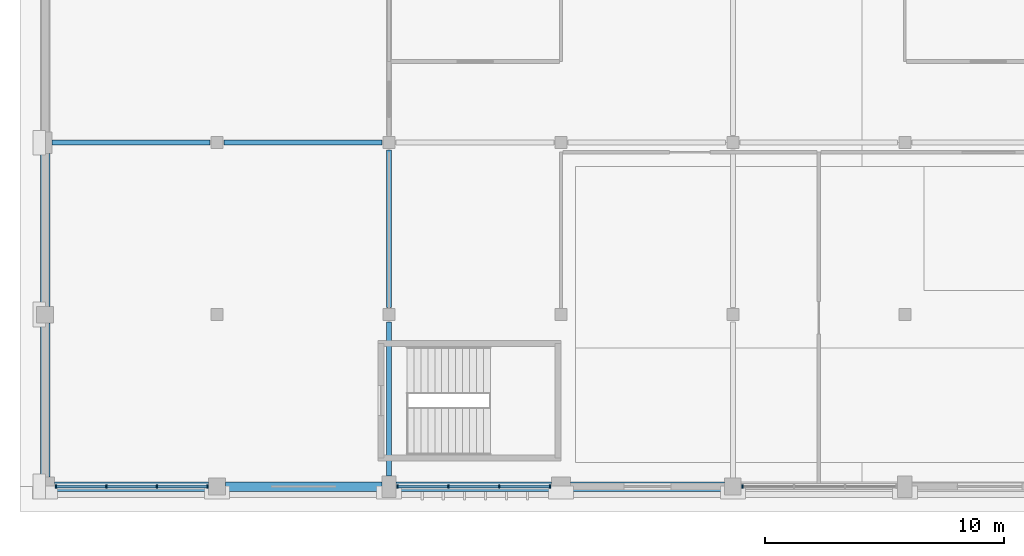
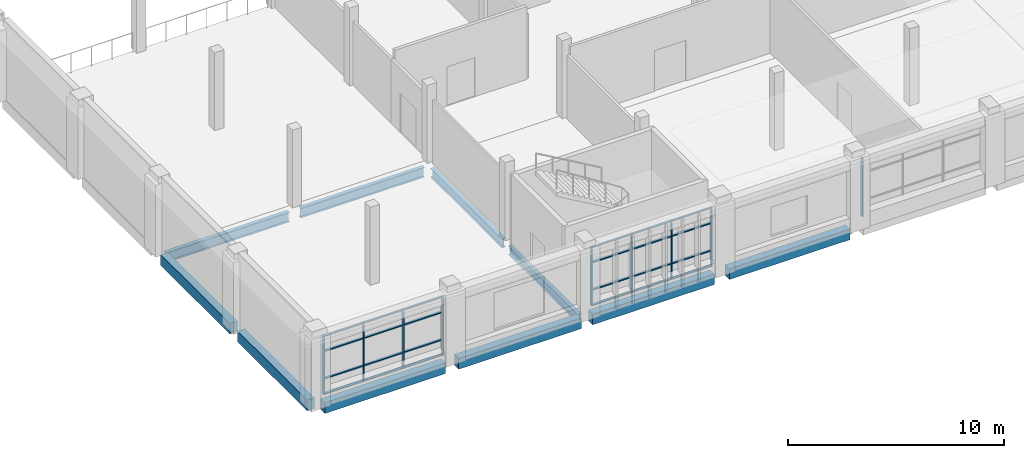
# One storey, part 8 of 71: 33 members, 10 beams, 3 elements without a shape of their own.
"""IFC4 building model written with IfcOpenShell, lengths in metres."""

from ifc_helpers import new_model, si_unit, direction, frame, origin, origin_2d, place, context, subcontext, project, spatial, rectangle, i_section, extrude, material, material_profile, profile_set, type_object, element, aggregate, save


model = new_model("IFC4")

# Units and contexts
model_context = context("Model", 3, precision=1e-05, world=origin(), true_north=direction((0.0, 1.0)))
body_context = subcontext(model_context, "Body", "Model", "MODEL_VIEW")
ifc_project = project(units=[si_unit("LENGTHUNIT", "METRE"), si_unit("AREAUNIT", "SQUARE_METRE"), si_unit("VOLUMEUNIT", "CUBIC_METRE"), si_unit("PLANEANGLEUNIT", "RADIAN"), si_unit("MASSUNIT", "GRAM", prefix="KILO")], contexts=[model_context])

# Site, building, storey
site_placement = place(None, origin())
site = spatial("IfcSite", under=ifc_project, at=site_placement, CompositionType="ELEMENT")
building_placement = place(site_placement, origin())
building = spatial("IfcBuilding", under=site, at=building_placement, Name="Sardonyx Promenade Sports Hall", CompositionType="ELEMENT")
storey_placement = place(building_placement, frame((0.0, 0.0, 16.0)))
storey = spatial("IfcBuildingStorey", under=building, at=storey_placement, Name="L03", CompositionType="ELEMENT", Elevation=16.0)

# Beams
ifc_material_1 = material(Name="Steel S355JR", Category="steel")
ifc_material_profile_1 = material_profile(ifc_material_1, i_section(OverallWidth=0.199951171875, OverallDepth=0.5, WebThickness=0.01025390625, FlangeThickness=0.01611328125, at=origin_2d()))
ifc_profile_set_1 = profile_set([ifc_material_profile_1], Name="Steel S355JR")
beam_type_1 = type_object("IfcBeamType", Name="Bm_Primary_IPE500", PredefinedType="BEAM", material=ifc_profile_set_1)
beam_1_placement = place(storey_placement, frame((14.39990234375, 0.449951171875, -0.5400390625), z_axis=(0.0, 1.0, 0.0), x_axis=(-1.0, 0.0, 0.0)))
element("IfcBeam", 1, at=beam_1_placement, inside=storey, type_object=beam_type_1, Name="Beam SB06 L03 #812", PredefinedType="BEAM", context=body_context, shape_type="SweptSolid", body=[
    extrude(i_section(OverallWidth=0.199951171875, OverallDepth=0.5, WebThickness=0.01025390625, FlangeThickness=0.01611328125, at=origin_2d()), origin(), (0.0, 0.0, 1.0), 6.449951171875),
])
beam_2_placement = place(storey_placement, frame((14.39990234375, 7.5, -0.5400390625), z_axis=(0.0, 1.0, 0.0), x_axis=(-1.0, 0.0, 0.0)))
element("IfcBeam", 2, at=beam_2_placement, inside=storey, type_object=beam_type_1, Name="Beam SB06 L03 #813", PredefinedType="BEAM", context=body_context, shape_type="SweptSolid", body=[
    extrude(i_section(OverallWidth=0.199951171875, OverallDepth=0.5, WebThickness=0.01025390625, FlangeThickness=0.01611328125, at=origin_2d()), origin(), (0.0, 0.0, 1.0), 6.60009765625),
])
ifc_material_2 = material(Name="Steel S355JR", Category="steel")
ifc_material_profile_2 = material_profile(ifc_material_2, i_section(OverallWidth=0.2099609375, OverallDepth=0.550048828125, WebThickness=0.010986328125, FlangeThickness=0.01708984375, at=origin_2d()))
ifc_profile_set_2 = profile_set([ifc_material_profile_2], Name="Steel S355JR")
beam_type_2 = type_object("IfcBeamType", Name="Bm_Primary_IPE550", PredefinedType="BEAM", material=ifc_profile_set_2)
beam_3_placement = place(storey_placement, frame((0.300048828125, 14.39990234375, -0.56494140625), z_axis=(1.0, 0.0, 0.0), x_axis=(0.0, 1.0, 0.0)))
element("IfcBeam", 3, at=beam_3_placement, inside=storey, type_object=beam_type_2, Name="Beam SB03 L03 #729", PredefinedType="BEAM", context=body_context, shape_type="SweptSolid", body=[
    extrude(i_section(OverallWidth=0.2099609375, OverallDepth=0.550048828125, WebThickness=0.010986328125, FlangeThickness=0.01708984375, at=origin_2d()), origin(), (0.0, 0.0, 1.0), 6.599853515625),
])
beam_4_placement = place(storey_placement, frame((7.5, 14.39990234375, -0.56494140625), z_axis=(1.0, 0.0, 0.0), x_axis=(0.0, 1.0, 0.0)))
element("IfcBeam", 4, at=beam_4_placement, inside=storey, type_object=beam_type_2, Name="Beam SB03 L03 #730", PredefinedType="BEAM", context=body_context, shape_type="SweptSolid", body=[
    extrude(i_section(OverallWidth=0.2099609375, OverallDepth=0.550048828125, WebThickness=0.010986328125, FlangeThickness=0.01708984375, at=origin_2d()), origin(), (0.0, 0.0, 1.0), 6.60009765625),
])
ifc_material_3 = material(Name="Concrete C40/50", Category="concrete")
ifc_material_profile_3 = material_profile(ifc_material_3, rectangle(XDim=0.39990234375, YDim=0.60009765625, at=origin_2d()))
ifc_profile_set_3 = profile_set([ifc_material_profile_3], Name="Concrete C40/50")
beam_type_3 = type_object("IfcBeamType", Name="Bm_Spandrel_RC600", PredefinedType="SPANDREL", material=ifc_profile_set_3)
beam_5_placement = place(storey_placement, frame((0.39990234375, 0.0, -0.300048828125), z_axis=(1.0, 0.0, 0.0), x_axis=(0.0, 1.0, 0.0)))
element("IfcBeam", 5, at=beam_5_placement, inside=storey, type_object=beam_type_3, Name="Beam SPB1 L03 #706", PredefinedType="SPANDREL", context=body_context, shape_type="SweptSolid", body=[
    extrude(rectangle(XDim=0.39990234375, YDim=0.60009765625, at=origin_2d()), origin(), (0.0, 0.0, 1.0), 6.4501953125),
])
beam_6_placement = place(storey_placement, frame((7.550048828125, 0.0, -0.300048828125), z_axis=(1.0, 0.0, 0.0), x_axis=(0.0, 1.0, 0.0)))
element("IfcBeam", 6, at=beam_6_placement, inside=storey, type_object=beam_type_3, Name="Beam SPB1 L03 #707", PredefinedType="SPANDREL", context=body_context, shape_type="SweptSolid", body=[
    extrude(rectangle(XDim=0.39990234375, YDim=0.60009765625, at=origin_2d()), origin(), (0.0, 0.0, 1.0), 6.550048828125),
])
beam_7_placement = place(storey_placement, frame((14.699951171875, 0.0, -0.300048828125), z_axis=(1.0, 0.0, 0.0), x_axis=(0.0, 1.0, 0.0)))
element("IfcBeam", 7, at=beam_7_placement, inside=storey, type_object=beam_type_3, Name="Beam SPB1 L03 #708", PredefinedType="SPANDREL", context=body_context, shape_type="SweptSolid", body=[
    extrude(rectangle(XDim=0.39990234375, YDim=0.60009765625, at=origin_2d()), origin(), (0.0, 0.0, 1.0), 6.5),
])
beam_8_placement = place(storey_placement, frame((22.0, 0.0, -0.300048828125), z_axis=(1.0, 0.0, 0.0), x_axis=(0.0, 1.0, 0.0)))
element("IfcBeam", 8, at=beam_8_placement, inside=storey, type_object=beam_type_3, Name="Beam SPB1 L03 #709", PredefinedType="SPANDREL", context=body_context, shape_type="SweptSolid", body=[
    extrude(rectangle(XDim=0.39990234375, YDim=0.60009765625, at=origin_2d()), origin(), (0.0, 0.0, 1.0), 6.449951171875),
])
beam_9_placement = place(storey_placement, frame((0.0, 0.39990234375, -0.300048828125), z_axis=(0.0, 1.0, 0.0), x_axis=(-1.0, 0.0, 0.0)))
element("IfcBeam", 9, at=beam_9_placement, inside=storey, type_object=beam_type_3, Name="Beam SPB1 L03 #808", PredefinedType="SPANDREL", context=body_context, shape_type="SweptSolid", body=[
    extrude(rectangle(XDim=0.39990234375, YDim=0.60009765625, at=origin_2d()), origin(), (0.0, 0.0, 1.0), 6.4501953125),
])
beam_10_placement = place(storey_placement, frame((0.0, 7.550048828125, -0.300048828125), z_axis=(0.0, 1.0, 0.0), x_axis=(-1.0, 0.0, 0.0)))
element("IfcBeam", 10, at=beam_10_placement, inside=storey, type_object=beam_type_3, Name="Beam SPB1 L03 #809", PredefinedType="SPANDREL", context=body_context, shape_type="SweptSolid", body=[
    extrude(rectangle(XDim=0.39990234375, YDim=0.60009765625, at=origin_2d()), origin(), (0.0, 0.0, 1.0), 6.39990234375),
])

# Curtain wall, member
ifc_material_4 = material(Name="Aluminium 6063-T6", Category="aluminium")
curtain_wall_type = type_object("IfcCurtainWallType", Name="CW_South_L03_640", PredefinedType="USERDEFINED", material=ifc_material_4)
curtain_wall_1_placement = place(storey_placement, origin())
curtain_wall_1 = element("IfcCurtainWall", 11, at=curtain_wall_1_placement, inside=storey, type_object=curtain_wall_type, Name="Curtain wall CW14 cw:L03:046", ObjectType="CURTAIN WALL", PredefinedType="USERDEFINED")
ifc_material_5 = material(Name="Aluminium 6063-T6", Category="aluminium")
ifc_material_profile_4 = material_profile(ifc_material_5, rectangle(XDim=0.06005859375, YDim=0.14990234375, at=origin_2d()))
ifc_profile_set_4 = profile_set([ifc_material_profile_4], Name="Aluminium 6063-T6")
member_type_1 = type_object("IfcMemberType", Name="CW_Mull_150", PredefinedType="MULLION", material=ifc_profile_set_4)
member_1_placement = place(storey_placement, frame((29.199951171875, 0.0, 0.35009765625), z_axis=(0.0, 0.0, 1.0), x_axis=(-1.0, 0.0, 0.0)))
member_1 = element("IfcMember", 12, at=member_1_placement, type_object=member_type_1, Name="Mullion CM01 cw:L03:046 #4", PredefinedType="MULLION", context=body_context, shape_type="SweptSolid", body=[
    extrude(rectangle(XDim=0.06005859375, YDim=0.14990234375, at=origin_2d()), origin(), (0.0, 0.0, 1.0), 3.324951171875),
])
aggregate(curtain_wall_1, [member_1])

# Curtain wall, members
curtain_wall_2_placement = place(storey_placement, origin())
curtain_wall_2 = element("IfcCurtainWall", 13, at=curtain_wall_2_placement, inside=storey, type_object=curtain_wall_type, Name="Curtain wall CW14 cw:L03:047", ObjectType="CURTAIN WALL", PredefinedType="USERDEFINED")
member_2_placement = place(storey_placement, frame((21.14990234375, 0.0, 0.35009765625), z_axis=(0.0, 0.0, 1.0), x_axis=(-1.0, 0.0, 0.0)))
member_2 = element("IfcMember", 14, at=member_2_placement, type_object=member_type_1, Name="Mullion CM01 cw:L03:047 #1", PredefinedType="MULLION", context=body_context, shape_type="SweptSolid", body=[
    extrude(rectangle(XDim=0.06005859375, YDim=0.14990234375, at=origin_2d()), origin(), (0.0, 0.0, 1.0), 3.324951171875),
])
member_3_placement = place(storey_placement, frame((19.0166015625, 0.0, 0.35009765625), z_axis=(0.0, 0.0, 1.0), x_axis=(-1.0, 0.0, 0.0)))
member_3 = element("IfcMember", 15, at=member_3_placement, type_object=member_type_1, Name="Mullion CM01 cw:L03:047 #2", PredefinedType="MULLION", context=body_context, shape_type="SweptSolid", body=[
    extrude(rectangle(XDim=0.06005859375, YDim=0.14990234375, at=origin_2d()), origin(), (0.0, 0.0, 1.0), 3.324951171875),
])
member_4_placement = place(storey_placement, frame((16.88330078125, 0.0, 0.35009765625), z_axis=(0.0, 0.0, 1.0), x_axis=(-1.0, 0.0, 0.0)))
member_4 = element("IfcMember", 16, at=member_4_placement, type_object=member_type_1, Name="Mullion CM01 cw:L03:047 #3", PredefinedType="MULLION", context=body_context, shape_type="SweptSolid", body=[
    extrude(rectangle(XDim=0.06005859375, YDim=0.14990234375, at=origin_2d()), origin(), (0.0, 0.0, 1.0), 3.324951171875),
])
member_5_placement = place(storey_placement, frame((14.75, 0.0, 0.35009765625), z_axis=(0.0, 0.0, 1.0), x_axis=(-1.0, 0.0, 0.0)))
member_5 = element("IfcMember", 17, at=member_5_placement, type_object=member_type_1, Name="Mullion CM01 cw:L03:047 #4", PredefinedType="MULLION", context=body_context, shape_type="SweptSolid", body=[
    extrude(rectangle(XDim=0.06005859375, YDim=0.14990234375, at=origin_2d()), origin(), (0.0, 0.0, 1.0), 3.324951171875),
])

curtain_wall_3_placement = place(storey_placement, origin())
curtain_wall_3 = element("IfcCurtainWall", 18, at=curtain_wall_3_placement, inside=storey, type_object=curtain_wall_type, Name="Curtain wall CW14 cw:L03:048", ObjectType="CURTAIN WALL", PredefinedType="USERDEFINED")
member_6_placement = place(storey_placement, frame((6.800048828125, 0.0, 0.35009765625), z_axis=(0.0, 0.0, 1.0), x_axis=(-1.0, 0.0, 0.0)))
member_6 = element("IfcMember", 19, at=member_6_placement, type_object=member_type_1, Name="Mullion CM01 cw:L03:048 #1", PredefinedType="MULLION", context=body_context, shape_type="SweptSolid", body=[
    extrude(rectangle(XDim=0.06005859375, YDim=0.14990234375, at=origin_2d()), origin(), (0.0, 0.0, 1.0), 3.324951171875),
])
member_7_placement = place(storey_placement, frame((4.683349609375, 0.0, 0.35009765625), z_axis=(0.0, 0.0, 1.0), x_axis=(-1.0, 0.0, 0.0)))
member_7 = element("IfcMember", 20, at=member_7_placement, type_object=member_type_1, Name="Mullion CM01 cw:L03:048 #2", PredefinedType="MULLION", context=body_context, shape_type="SweptSolid", body=[
    extrude(rectangle(XDim=0.06005859375, YDim=0.14990234375, at=origin_2d()), origin(), (0.0, 0.0, 1.0), 3.324951171875),
])
member_8_placement = place(storey_placement, frame((2.566650390625, 0.0, 0.35009765625), z_axis=(0.0, 0.0, 1.0), x_axis=(-1.0, 0.0, 0.0)))
member_8 = element("IfcMember", 21, at=member_8_placement, type_object=member_type_1, Name="Mullion CM01 cw:L03:048 #3", PredefinedType="MULLION", context=body_context, shape_type="SweptSolid", body=[
    extrude(rectangle(XDim=0.06005859375, YDim=0.14990234375, at=origin_2d()), origin(), (0.0, 0.0, 1.0), 3.324951171875),
])
member_9_placement = place(storey_placement, frame((0.449951171875, 0.0, 0.35009765625), z_axis=(0.0, 0.0, 1.0), x_axis=(-1.0, 0.0, 0.0)))
member_9 = element("IfcMember", 22, at=member_9_placement, type_object=member_type_1, Name="Mullion CM01 cw:L03:048 #4", PredefinedType="MULLION", context=body_context, shape_type="SweptSolid", body=[
    extrude(rectangle(XDim=0.06005859375, YDim=0.14990234375, at=origin_2d()), origin(), (0.0, 0.0, 1.0), 3.324951171875),
])

# Member
ifc_material_6 = material(Name="Aluminium 6063-T6", Category="aluminium")
ifc_material_profile_5 = material_profile(ifc_material_6, rectangle(XDim=0.06005859375, YDim=0.1201171875, at=origin_2d()))
ifc_profile_set_5 = profile_set([ifc_material_profile_5], Name="Aluminium 6063-T6")
member_type_2 = type_object("IfcMemberType", Name="CW_Tran_120", PredefinedType="USERDEFINED", material=ifc_profile_set_5)
member_10_placement = place(storey_placement, frame((21.1201171875, 0.0, 0.3798828125), z_axis=(-1.0, 0.0, 0.0), x_axis=(0.0, 0.0, 1.0)))
member_10 = element("IfcMember", 23, at=member_10_placement, type_object=member_type_2, Name="Transom CT01 cw:L03:047 #1", ObjectType="TRANSOM", PredefinedType="USERDEFINED", context=body_context, shape_type="SweptSolid", body=[
    extrude(rectangle(XDim=0.06005859375, YDim=0.1201171875, at=origin_2d()), origin(), (0.0, 0.0, 1.0), 2.073486328125),
])

member_11_placement = place(storey_placement, frame((21.1201171875, 0.0, 1.25), z_axis=(-1.0, 0.0, 0.0), x_axis=(0.0, 0.0, 1.0)))
member_11 = element("IfcMember", 24, at=member_11_placement, type_object=member_type_2, Name="Transom CT01 cw:L03:047 #2", ObjectType="TRANSOM", PredefinedType="USERDEFINED", context=body_context, shape_type="SweptSolid", body=[
    extrude(rectangle(XDim=0.06005859375, YDim=0.1201171875, at=origin_2d()), origin(), (0.0, 0.0, 1.0), 2.073486328125),
])

member_12_placement = place(storey_placement, frame((21.1201171875, 0.0, 2.800048828125), z_axis=(-1.0, 0.0, 0.0), x_axis=(0.0, 0.0, 1.0)))
member_12 = element("IfcMember", 25, at=member_12_placement, type_object=member_type_2, Name="Transom CT01 cw:L03:047 #3", ObjectType="TRANSOM", PredefinedType="USERDEFINED", context=body_context, shape_type="SweptSolid", body=[
    extrude(rectangle(XDim=0.06005859375, YDim=0.1201171875, at=origin_2d()), origin(), (0.0, 0.0, 1.0), 2.073486328125),
])

member_13_placement = place(storey_placement, frame((21.1201171875, 0.0, 3.64501953125), z_axis=(-1.0, 0.0, 0.0), x_axis=(0.0, 0.0, 1.0)))
member_13 = element("IfcMember", 26, at=member_13_placement, type_object=member_type_2, Name="Transom CT01 cw:L03:047 #4", ObjectType="TRANSOM", PredefinedType="USERDEFINED", context=body_context, shape_type="SweptSolid", body=[
    extrude(rectangle(XDim=0.06005859375, YDim=0.1201171875, at=origin_2d()), origin(), (0.0, 0.0, 1.0), 2.073486328125),
])

member_14_placement = place(storey_placement, frame((18.986572265625, 0.0, 0.3798828125), z_axis=(-1.0, 0.0, 0.0), x_axis=(0.0, 0.0, 1.0)))
member_14 = element("IfcMember", 27, at=member_14_placement, type_object=member_type_2, Name="Transom CT01 cw:L03:047 #5", ObjectType="TRANSOM", PredefinedType="USERDEFINED", context=body_context, shape_type="SweptSolid", body=[
    extrude(rectangle(XDim=0.06005859375, YDim=0.1201171875, at=origin_2d()), origin(), (0.0, 0.0, 1.0), 2.0732421875),
])

member_15_placement = place(storey_placement, frame((18.986572265625, 0.0, 1.25), z_axis=(-1.0, 0.0, 0.0), x_axis=(0.0, 0.0, 1.0)))
member_15 = element("IfcMember", 28, at=member_15_placement, type_object=member_type_2, Name="Transom CT01 cw:L03:047 #6", ObjectType="TRANSOM", PredefinedType="USERDEFINED", context=body_context, shape_type="SweptSolid", body=[
    extrude(rectangle(XDim=0.06005859375, YDim=0.1201171875, at=origin_2d()), origin(), (0.0, 0.0, 1.0), 2.0732421875),
])

member_16_placement = place(storey_placement, frame((18.986572265625, 0.0, 2.800048828125), z_axis=(-1.0, 0.0, 0.0), x_axis=(0.0, 0.0, 1.0)))
member_16 = element("IfcMember", 29, at=member_16_placement, type_object=member_type_2, Name="Transom CT01 cw:L03:047 #7", ObjectType="TRANSOM", PredefinedType="USERDEFINED", context=body_context, shape_type="SweptSolid", body=[
    extrude(rectangle(XDim=0.06005859375, YDim=0.1201171875, at=origin_2d()), origin(), (0.0, 0.0, 1.0), 2.0732421875),
])

member_17_placement = place(storey_placement, frame((18.986572265625, 0.0, 3.64501953125), z_axis=(-1.0, 0.0, 0.0), x_axis=(0.0, 0.0, 1.0)))
member_17 = element("IfcMember", 30, at=member_17_placement, type_object=member_type_2, Name="Transom CT01 cw:L03:047 #8", ObjectType="TRANSOM", PredefinedType="USERDEFINED", context=body_context, shape_type="SweptSolid", body=[
    extrude(rectangle(XDim=0.06005859375, YDim=0.1201171875, at=origin_2d()), origin(), (0.0, 0.0, 1.0), 2.0732421875),
])

member_18_placement = place(storey_placement, frame((16.853271484375, 0.0, 0.3798828125), z_axis=(-1.0, 0.0, 0.0), x_axis=(0.0, 0.0, 1.0)))
member_18 = element("IfcMember", 31, at=member_18_placement, type_object=member_type_2, Name="Transom CT01 cw:L03:047 #9", ObjectType="TRANSOM", PredefinedType="USERDEFINED", context=body_context, shape_type="SweptSolid", body=[
    extrude(rectangle(XDim=0.06005859375, YDim=0.1201171875, at=origin_2d()), origin(), (0.0, 0.0, 1.0), 2.0732421875),
])

member_19_placement = place(storey_placement, frame((16.853271484375, 0.0, 1.25), z_axis=(-1.0, 0.0, 0.0), x_axis=(0.0, 0.0, 1.0)))
member_19 = element("IfcMember", 32, at=member_19_placement, type_object=member_type_2, Name="Transom CT01 cw:L03:047 #10", ObjectType="TRANSOM", PredefinedType="USERDEFINED", context=body_context, shape_type="SweptSolid", body=[
    extrude(rectangle(XDim=0.06005859375, YDim=0.1201171875, at=origin_2d()), origin(), (0.0, 0.0, 1.0), 2.0732421875),
])

member_20_placement = place(storey_placement, frame((16.853271484375, 0.0, 2.800048828125), z_axis=(-1.0, 0.0, 0.0), x_axis=(0.0, 0.0, 1.0)))
member_20 = element("IfcMember", 33, at=member_20_placement, type_object=member_type_2, Name="Transom CT01 cw:L03:047 #11", ObjectType="TRANSOM", PredefinedType="USERDEFINED", context=body_context, shape_type="SweptSolid", body=[
    extrude(rectangle(XDim=0.06005859375, YDim=0.1201171875, at=origin_2d()), origin(), (0.0, 0.0, 1.0), 2.0732421875),
])

member_21_placement = place(storey_placement, frame((16.853271484375, 0.0, 3.64501953125), z_axis=(-1.0, 0.0, 0.0), x_axis=(0.0, 0.0, 1.0)))
member_21 = element("IfcMember", 34, at=member_21_placement, type_object=member_type_2, Name="Transom CT01 cw:L03:047 #12", ObjectType="TRANSOM", PredefinedType="USERDEFINED", context=body_context, shape_type="SweptSolid", body=[
    extrude(rectangle(XDim=0.06005859375, YDim=0.1201171875, at=origin_2d()), origin(), (0.0, 0.0, 1.0), 2.0732421875),
])

aggregate(curtain_wall_2, [member_2, member_3, member_4, member_5, member_10, member_11, member_12, member_13, member_14, member_15, member_16, member_17, member_18, member_19, member_20, member_21])

member_22_placement = place(storey_placement, frame((6.77001953125, 0.0, 0.3798828125), z_axis=(-1.0, 0.0, 0.0), x_axis=(0.0, 0.0, 1.0)))
member_22 = element("IfcMember", 35, at=member_22_placement, type_object=member_type_2, Name="Transom CT01 cw:L03:048 #1", ObjectType="TRANSOM", PredefinedType="USERDEFINED", context=body_context, shape_type="SweptSolid", body=[
    extrude(rectangle(XDim=0.06005859375, YDim=0.1201171875, at=origin_2d()), origin(), (0.0, 0.0, 1.0), 2.056640625),
])

member_23_placement = place(storey_placement, frame((6.77001953125, 0.0, 1.25), z_axis=(-1.0, 0.0, 0.0), x_axis=(0.0, 0.0, 1.0)))
member_23 = element("IfcMember", 36, at=member_23_placement, type_object=member_type_2, Name="Transom CT01 cw:L03:048 #2", ObjectType="TRANSOM", PredefinedType="USERDEFINED", context=body_context, shape_type="SweptSolid", body=[
    extrude(rectangle(XDim=0.06005859375, YDim=0.1201171875, at=origin_2d()), origin(), (0.0, 0.0, 1.0), 2.056640625),
])

member_24_placement = place(storey_placement, frame((6.77001953125, 0.0, 2.800048828125), z_axis=(-1.0, 0.0, 0.0), x_axis=(0.0, 0.0, 1.0)))
member_24 = element("IfcMember", 37, at=member_24_placement, type_object=member_type_2, Name="Transom CT01 cw:L03:048 #3", ObjectType="TRANSOM", PredefinedType="USERDEFINED", context=body_context, shape_type="SweptSolid", body=[
    extrude(rectangle(XDim=0.06005859375, YDim=0.1201171875, at=origin_2d()), origin(), (0.0, 0.0, 1.0), 2.056640625),
])

member_25_placement = place(storey_placement, frame((6.77001953125, 0.0, 3.64501953125), z_axis=(-1.0, 0.0, 0.0), x_axis=(0.0, 0.0, 1.0)))
member_25 = element("IfcMember", 38, at=member_25_placement, type_object=member_type_2, Name="Transom CT01 cw:L03:048 #4", ObjectType="TRANSOM", PredefinedType="USERDEFINED", context=body_context, shape_type="SweptSolid", body=[
    extrude(rectangle(XDim=0.06005859375, YDim=0.1201171875, at=origin_2d()), origin(), (0.0, 0.0, 1.0), 2.056640625),
])

member_26_placement = place(storey_placement, frame((4.6533203125, 0.0, 0.3798828125), z_axis=(-1.0, 0.0, 0.0), x_axis=(0.0, 0.0, 1.0)))
member_26 = element("IfcMember", 39, at=member_26_placement, type_object=member_type_2, Name="Transom CT01 cw:L03:048 #5", ObjectType="TRANSOM", PredefinedType="USERDEFINED", context=body_context, shape_type="SweptSolid", body=[
    extrude(rectangle(XDim=0.06005859375, YDim=0.1201171875, at=origin_2d()), origin(), (0.0, 0.0, 1.0), 2.056640625),
])

member_27_placement = place(storey_placement, frame((4.6533203125, 0.0, 1.25), z_axis=(-1.0, 0.0, 0.0), x_axis=(0.0, 0.0, 1.0)))
member_27 = element("IfcMember", 40, at=member_27_placement, type_object=member_type_2, Name="Transom CT01 cw:L03:048 #6", ObjectType="TRANSOM", PredefinedType="USERDEFINED", context=body_context, shape_type="SweptSolid", body=[
    extrude(rectangle(XDim=0.06005859375, YDim=0.1201171875, at=origin_2d()), origin(), (0.0, 0.0, 1.0), 2.056640625),
])

member_28_placement = place(storey_placement, frame((4.6533203125, 0.0, 2.800048828125), z_axis=(-1.0, 0.0, 0.0), x_axis=(0.0, 0.0, 1.0)))
member_28 = element("IfcMember", 41, at=member_28_placement, type_object=member_type_2, Name="Transom CT01 cw:L03:048 #7", ObjectType="TRANSOM", PredefinedType="USERDEFINED", context=body_context, shape_type="SweptSolid", body=[
    extrude(rectangle(XDim=0.06005859375, YDim=0.1201171875, at=origin_2d()), origin(), (0.0, 0.0, 1.0), 2.056640625),
])

member_29_placement = place(storey_placement, frame((4.6533203125, 0.0, 3.64501953125), z_axis=(-1.0, 0.0, 0.0), x_axis=(0.0, 0.0, 1.0)))
member_29 = element("IfcMember", 42, at=member_29_placement, type_object=member_type_2, Name="Transom CT01 cw:L03:048 #8", ObjectType="TRANSOM", PredefinedType="USERDEFINED", context=body_context, shape_type="SweptSolid", body=[
    extrude(rectangle(XDim=0.06005859375, YDim=0.1201171875, at=origin_2d()), origin(), (0.0, 0.0, 1.0), 2.056640625),
])

member_30_placement = place(storey_placement, frame((2.53662109375, 0.0, 0.3798828125), z_axis=(-1.0, 0.0, 0.0), x_axis=(0.0, 0.0, 1.0)))
member_30 = element("IfcMember", 43, at=member_30_placement, type_object=member_type_2, Name="Transom CT01 cw:L03:048 #9", ObjectType="TRANSOM", PredefinedType="USERDEFINED", context=body_context, shape_type="SweptSolid", body=[
    extrude(rectangle(XDim=0.06005859375, YDim=0.1201171875, at=origin_2d()), origin(), (0.0, 0.0, 1.0), 2.056640625),
])

member_31_placement = place(storey_placement, frame((2.53662109375, 0.0, 1.25), z_axis=(-1.0, 0.0, 0.0), x_axis=(0.0, 0.0, 1.0)))
member_31 = element("IfcMember", 44, at=member_31_placement, type_object=member_type_2, Name="Transom CT01 cw:L03:048 #10", ObjectType="TRANSOM", PredefinedType="USERDEFINED", context=body_context, shape_type="SweptSolid", body=[
    extrude(rectangle(XDim=0.06005859375, YDim=0.1201171875, at=origin_2d()), origin(), (0.0, 0.0, 1.0), 2.056640625),
])

member_32_placement = place(storey_placement, frame((2.53662109375, 0.0, 2.800048828125), z_axis=(-1.0, 0.0, 0.0), x_axis=(0.0, 0.0, 1.0)))
member_32 = element("IfcMember", 45, at=member_32_placement, type_object=member_type_2, Name="Transom CT01 cw:L03:048 #11", ObjectType="TRANSOM", PredefinedType="USERDEFINED", context=body_context, shape_type="SweptSolid", body=[
    extrude(rectangle(XDim=0.06005859375, YDim=0.1201171875, at=origin_2d()), origin(), (0.0, 0.0, 1.0), 2.056640625),
])

member_33_placement = place(storey_placement, frame((2.53662109375, 0.0, 3.64501953125), z_axis=(-1.0, 0.0, 0.0), x_axis=(0.0, 0.0, 1.0)))
member_33 = element("IfcMember", 46, at=member_33_placement, type_object=member_type_2, Name="Transom CT01 cw:L03:048 #12", ObjectType="TRANSOM", PredefinedType="USERDEFINED", context=body_context, shape_type="SweptSolid", body=[
    extrude(rectangle(XDim=0.06005859375, YDim=0.1201171875, at=origin_2d()), origin(), (0.0, 0.0, 1.0), 2.056640625),
])

aggregate(curtain_wall_3, [member_6, member_7, member_8, member_9, member_22, member_23, member_24, member_25, member_26, member_27, member_28, member_29, member_30, member_31, member_32, member_33])

save(model, "model.ifc")
